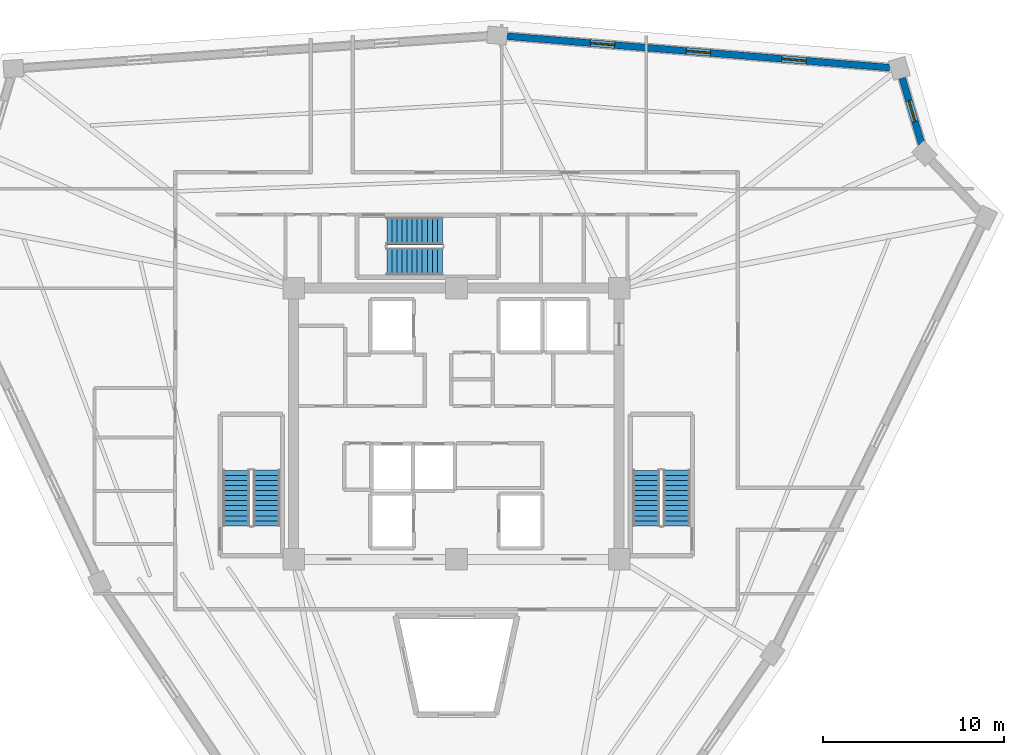
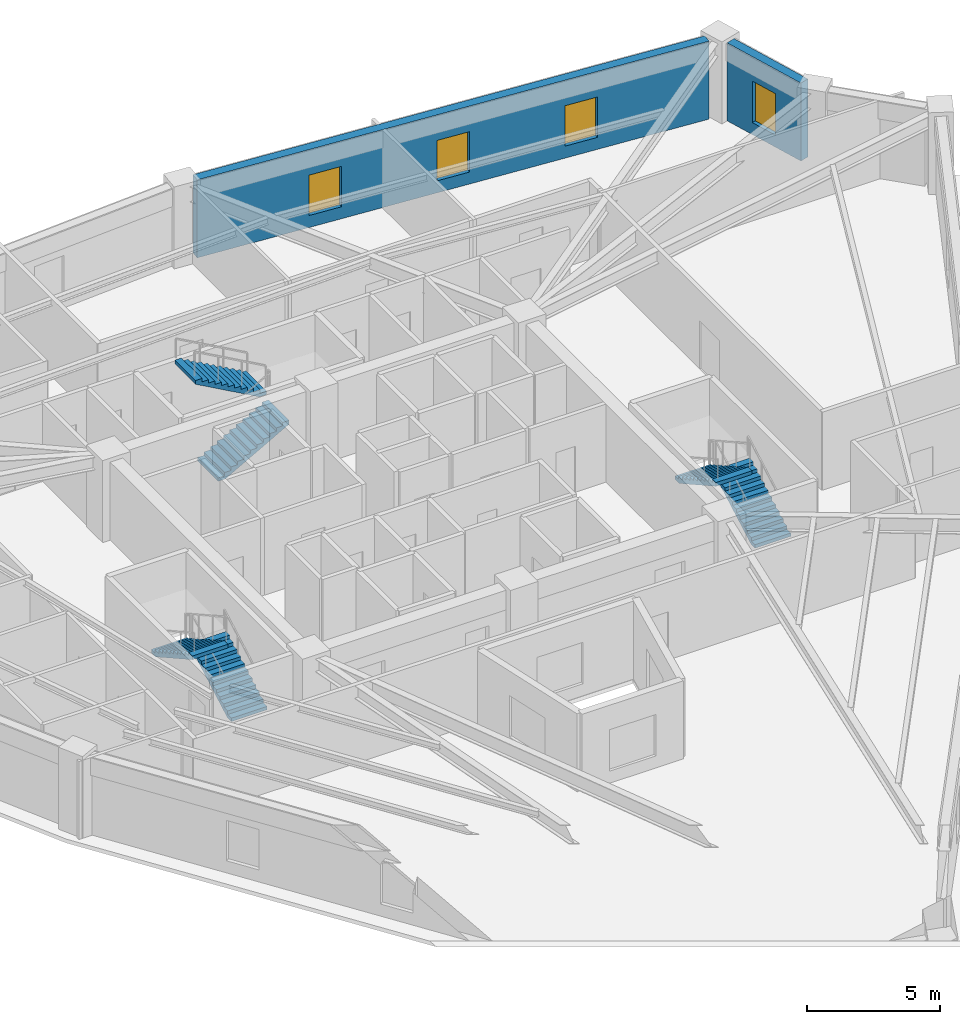
# One storey, part 7 of 8: 6 stair flights, 4 windows, 2 walls, 4 openings, 3 elements without a shape of their own.
"""IFC4 building model written with IfcOpenShell, lengths in metres."""

import ifcopenshell
import ifcopenshell.guid

model = None  # the IFC model being written
_history = None  # IfcOwnerHistory: only IFC2X3 demands one
_inside = {}  # id of a spatial element -> (the spatial element, [elements in it])
_under = {}  # id of a project, library or spatial element -> (it, [spatial elements below it])
_declared = {}  # id of a project -> (the project, [libraries it declares])
_typed = {}  # id of a type object -> (the type object, [elements of that type])
_made_of = {}  # id of a material, layer set ... -> (it, [elements and type objects made of it])


def new_model(schema):
    """Start an empty IFC model of exactly this schema.

    Asked for "IFC4X3", IfcOpenShell would pick the latest addendum, in which some entities
    have other attributes; the version numbers below select the first issue.
    IFC2X3 requires an IfcOwnerHistory on every rooted entity: one is made here for all.
    """
    global model, _history
    if schema == "IFC4X3":
        model = ifcopenshell.file(schema_version=(4, 3, 0, 0))
    else:
        model = ifcopenshell.file(schema=schema)
    _inside.clear()
    _under.clear()
    _declared.clear()
    _typed.clear()
    _made_of.clear()
    _history = None
    if model.schema == "IFC2X3":
        org = make("IfcOrganization", Name="unknown")
        user = make(
            "IfcPersonAndOrganization",
            ThePerson=make("IfcPerson", FamilyName="unknown"),
            TheOrganization=org,
        )
        app = make(
            "IfcApplication",
            ApplicationDeveloper=org,
            Version="unknown",
            ApplicationFullName="unknown",
            ApplicationIdentifier="unknown",
        )
        _history = make(
            "IfcOwnerHistory",
            OwningUser=user,
            OwningApplication=app,
            ChangeAction="ADDED",
            CreationDate=0,
        )
    return model


def make(cls, **values):
    """One entity of the class cls with the attributes given. An attribute that is None is left unset."""
    return model.create_entity(
        cls, **{name: value for name, value in values.items() if value is not None}
    )


def rooted(cls, **values):
    """An entity with a GlobalId (a new one), such as an element, a storey or a relation."""
    return make(cls, GlobalId=ifcopenshell.guid.new(), OwnerHistory=_history, **values)


def si_unit(unit_type, name, prefix=None):
    """IfcSIUnit, for example si_unit("LENGTHUNIT", "METRE", prefix="MILLI")."""
    return make("IfcSIUnit", UnitType=unit_type, Prefix=prefix, Name=name)


def assignment(units):
    """IfcUnitAssignment: the units of a project."""
    return None if units is None else make("IfcUnitAssignment", Units=units)


def point(xyz):
    """IfcCartesianPoint."""
    return None if xyz is None else make("IfcCartesianPoint", Coordinates=xyz)


def direction(xyz):
    """IfcDirection."""
    return None if xyz is None else make("IfcDirection", DirectionRatios=xyz)


def frame(location, z_axis=None, x_axis=None):
    """IfcAxis2Placement3D, a coordinate frame: its origin and axes. An axis left out is left unset."""
    return make(
        "IfcAxis2Placement3D",
        Location=point(location),
        Axis=direction(z_axis),
        RefDirection=direction(x_axis),
    )


def frame_2d(location, x_axis=None):
    """IfcAxis2Placement2D, a coordinate frame in the plane: its origin and x axis."""
    return make(
        "IfcAxis2Placement2D", Location=point(location), RefDirection=direction(x_axis)
    )


def origin():
    """The frame at (0, 0, 0) with its axes left unset."""
    return frame((0.0, 0.0, 0.0))


def place(relative_to, where):
    """IfcLocalPlacement: puts the frame where relative to a parent placement (None: the world)."""
    return make(
        "IfcLocalPlacement", PlacementRelTo=relative_to, RelativePlacement=where
    )


def context(
    kind, dimensions, precision=None, world=None, true_north=None, identifier=None
):
    """IfcGeometricRepresentationContext, for example the 3D "Model" context."""
    return make(
        "IfcGeometricRepresentationContext",
        ContextIdentifier=identifier,
        ContextType=kind,
        CoordinateSpaceDimension=dimensions,
        Precision=precision,
        WorldCoordinateSystem=world,
        TrueNorth=true_north,
    )


def subcontext(parent, identifier, kind, view, scale=None):
    """IfcGeometricRepresentationSubContext, for example "Body" below "Model"."""
    return make(
        "IfcGeometricRepresentationSubContext",
        ContextIdentifier=identifier,
        ContextType=kind,
        ParentContext=parent,
        TargetScale=scale,
        TargetView=view,
    )


def project(units=None, contexts=None):
    """IfcProject with its units and contexts."""
    return rooted(
        "IfcProject",
        Name="project",
        RepresentationContexts=contexts,
        UnitsInContext=assignment(units),
    )


def spatial(cls, under=None, at=None, **own):
    """A site, building, storey or space (cls), placed at a placement, below another one or the project."""
    s = rooted(cls, ObjectPlacement=at, **own)
    if under is not None:
        _under.setdefault(under.id(), (under, []))[1].append(s)
    return s


def polyline(points):
    """IfcPolyline through the points."""
    return make("IfcPolyline", Points=[point(p) for p in points])


def profile(cls, at=None, kind="AREA", **sizes):
    """A parametric profile (cls). Its sizes go by their IFC names, for example OverallWidth=200.0."""
    return make(cls, ProfileType=kind, Position=at, **sizes)


def rectangle(**sizes):
    """IfcRectangleProfileDef."""
    return profile("IfcRectangleProfileDef", **sizes)


def outline(outer, holes=None, kind="AREA"):
    """IfcArbitraryClosedProfileDef: a profile drawn as a closed curve; with holes, ...WithVoids."""
    if holes is None:
        return make("IfcArbitraryClosedProfileDef", ProfileType=kind, OuterCurve=outer)
    return make(
        "IfcArbitraryProfileDefWithVoids",
        ProfileType=kind,
        OuterCurve=outer,
        InnerCurves=holes,
    )


def extrude(swept, where, along, depth):
    """IfcExtrudedAreaSolid: the profile swept, set in the frame where, extruded along a direction by depth."""
    return make(
        "IfcExtrudedAreaSolid",
        SweptArea=swept,
        Position=where,
        ExtrudedDirection=direction(along),
        Depth=depth,
    )


def shape(context_of_items, identifier, shape_type, items):
    """IfcShapeRepresentation: the items that make up one representation, for example the "Body"."""
    return make(
        "IfcShapeRepresentation",
        ContextOfItems=context_of_items,
        RepresentationIdentifier=identifier,
        RepresentationType=shape_type,
        Items=items,
    )


def source(mapping_origin, context_of_items, identifier, shape_type, items):
    """IfcRepresentationMap: a shape defined once, which mapped items show again and again."""
    return make(
        "IfcRepresentationMap",
        MappingOrigin=mapping_origin,
        MappedRepresentation=shape(context_of_items, identifier, shape_type, items),
    )


def transform(
    local_origin,
    x_axis=None,
    y_axis=None,
    z_axis=None,
    scale=None,
    scale2=None,
    scale3=None,
    uniform=True,
):
    """IfcCartesianTransformationOperator3D, or its non-uniform kind. x_axis, y_axis, z_axis: its Axis1, 2, 3."""
    if uniform:
        return make(
            "IfcCartesianTransformationOperator3D",
            Axis1=direction(x_axis),
            Axis2=direction(y_axis),
            LocalOrigin=point(local_origin),
            Scale=scale,
            Axis3=direction(z_axis),
        )
    return make(
        "IfcCartesianTransformationOperator3DnonUniform",
        Axis1=direction(x_axis),
        Axis2=direction(y_axis),
        LocalOrigin=point(local_origin),
        Scale=scale,
        Axis3=direction(z_axis),
        Scale2=scale2,
        Scale3=scale3,
    )


def mapped(mapping_source, mapping_target):
    """IfcMappedItem: shows the shape of a source again, moved by a transform."""
    return make(
        "IfcMappedItem", MappingSource=mapping_source, MappingTarget=mapping_target
    )


def material(Name=None, Category=None):
    """IfcMaterial."""
    return make("IfcMaterial", Name=Name, Category=Category)


def layer(
    of_material, thickness, ventilated=None, Name=None, Category=None, Priority=None
):
    """IfcMaterialLayer: one layer of a wall or slab, of a material (None: an air gap)."""
    return make(
        "IfcMaterialLayer",
        Material=of_material,
        LayerThickness=thickness,
        IsVentilated=ventilated,
        Name=Name,
        Category=Category,
        Priority=Priority,
    )


def layer_set(layers, Name=None):
    """IfcMaterialLayerSet."""
    return make("IfcMaterialLayerSet", MaterialLayers=layers, LayerSetName=Name)


def made_of(thing, what):
    """Note that an element or type object is made of a material, layer set ...; save() writes the relation."""
    if what is not None:
        _made_of.setdefault(what.id(), (what, []))[1].append(thing)
    return thing


def type_object(cls, material=None, **own):
    """A type object (cls), such as IfcWallType, which elements share."""
    return made_of(rooted(cls, **own), material)


def element(
    cls,
    number,
    at=None,
    inside=None,
    cuts=None,
    type_object=None,
    material=None,
    context=None,
    identifier="Body",
    shape_type=None,
    held_by="IfcProductDefinitionShape",
    body=None,
    shapes=None,
    **own,
):
    """One element of the class cls, such as IfcWall. Its Tag is "e" and its number.

    at: its placement. inside: the storey or other place that contains it. cuts: it is an
    opening in that element (IfcRelVoidsElement). A single representation is given by context,
    identifier, shape_type and body (its items); several are given by shapes. held_by: the class
    of the entity that holds the representations. save() writes the other relations.
    """
    e = rooted(cls, Tag="e%d" % number, ObjectPlacement=at, **own)
    if body is not None:
        shapes = [shape(context, identifier, shape_type, body)]
    if shapes is not None:
        e.Representation = make(held_by, Representations=shapes)
    if inside is not None:
        _inside.setdefault(inside.id(), (inside, []))[1].append(e)
    if cuts is not None:
        rooted(
            "IfcRelVoidsElement", RelatingBuildingElement=cuts, RelatedOpeningElement=e
        )
    if type_object is not None:
        _typed.setdefault(type_object.id(), (type_object, []))[1].append(e)
    return made_of(e, material)


def fill(opening, filler):
    """IfcRelFillsElement: the door or window that sits in an opening."""
    return rooted(
        "IfcRelFillsElement",
        RelatingOpeningElement=opening,
        RelatedBuildingElement=filler,
    )


def aggregate(whole, parts):
    """IfcRelAggregates: a whole, such as a stair, and the parts it consists of."""
    return rooted("IfcRelAggregates", RelatingObject=whole, RelatedObjects=parts)


def save(model, path):
    """Write the relations noted so far, then the file.

    IfcRelAggregates (storeys below a building ...), IfcRelContainedInSpatialStructure (elements
    in a storey), IfcRelDefinesByType, IfcRelAssociatesMaterial and IfcRelDeclares: one each for
    every whole, place, type object, material and project.
    """
    for whole, parts in _under.values():
        aggregate(whole, parts)
    for where, things in _inside.values():
        rooted(
            "IfcRelContainedInSpatialStructure",
            RelatedElements=things,
            RelatingStructure=where,
        )
    for kind, things in _typed.values():
        rooted("IfcRelDefinesByType", RelatedObjects=things, RelatingType=kind)
    for what, things in _made_of.values():
        rooted("IfcRelAssociatesMaterial", RelatedObjects=things, RelatingMaterial=what)
    for by, libraries in _declared.values():
        rooted("IfcRelDeclares", RelatingContext=by, RelatedDefinitions=libraries)
    model.write(path)


model = new_model("IFC4")

# Units and contexts
model_context = context("Model", 3, precision=1e-05, world=origin(), true_north=direction((0.0, 1.0)))
body_context = subcontext(model_context, "Body", "Model", "MODEL_VIEW")
ifc_project = project(units=[si_unit("LENGTHUNIT", "METRE"), si_unit("AREAUNIT", "SQUARE_METRE"), si_unit("VOLUMEUNIT", "CUBIC_METRE"), si_unit("PLANEANGLEUNIT", "RADIAN"), si_unit("MASSUNIT", "GRAM", prefix="KILO")], contexts=[model_context])

# Site, building, storey
site_placement = place(None, origin())
site = spatial("IfcSite", under=ifc_project, at=site_placement, CompositionType="ELEMENT")
building_placement = place(site_placement, origin())
building = spatial("IfcBuilding", under=site, at=building_placement, Name="Liaohun Quay Tower", CompositionType="ELEMENT")
storey_placement = place(building_placement, frame((0.0, 0.0, 332.25)))
storey = spatial("IfcBuildingStorey", under=building, at=storey_placement, Name="L86", CompositionType="ELEMENT", Elevation=332.25)

# Wall, opening, window
ifc_material_1 = material(Name="Precast concrete C50 insulated sandwich", Category="concrete")
ifc_layer = layer(ifc_material_1, 0.3798828125, Name="Precast concrete C50 insulated sandwich", Category="concrete")
ifc_layer_set = layer_set([ifc_layer], Name="Precast concrete C50 insulated sandwich")
wall_type = type_object("IfcWallType", Name="WAL-EXT-Z34", PredefinedType="SOLIDWALL", material=ifc_layer_set)
wall_1_placement = place(storey_placement, frame((85.738037109375, 69.466064453125, 0.0), z_axis=(0.0, 0.0, 1.0), x_axis=(-0.282732695887, 0.959198739926, 0.0)))
wall_1 = element("IfcWall", 1, at=wall_1_placement, inside=storey, type_object=wall_type, Name="L86 Brutalist Precast Pier Wall 05", PredefinedType="SOLIDWALL", context=body_context, shape_type="SweptSolid", body=[
    extrude(rectangle(XDim=3.8271484375, YDim=0.3798828125, at=frame_2d((1.91357421875, 0.0))), origin(), (0.0, 0.0, 1.0), 3.570068359375),
])
shared_shape_1 = source(origin(), body_context, "Body", "SweptSolid", [
    extrude(rectangle(XDim=1.199951171875, YDim=1.89990234375, at=frame_2d((0.60009765625, 0.949951171875))), frame((0.0, 0.199951171875, 0.0), z_axis=(0.0, -1.0, 0.0), x_axis=(1.0, 0.0, 0.0)), (0.0, 0.0, 1.0), 0.39990234375),
])
opening_1_placement = place(wall_1_placement, frame((1.31396484375, 0.0, 0.550048828125)))
opening_1 = element("IfcOpeningElement", 2, at=opening_1_placement, cuts=wall_1, Name="Opening W05", PredefinedType="OPENING", context=body_context, shape_type="MappedRepresentation", body=[
    mapped(shared_shape_1, transform((0.0, 0.0, 0.0), x_axis=(1.0, 0.0, 0.0), y_axis=(0.0, 1.0, 0.0), z_axis=(0.0, 0.0, 1.0), scale=1.0)),
])
ifc_material_2 = material(Name="Triple Low-E corner notch glazing", Category="glass")
window_type_1 = type_object("IfcWindowType", Name="WIN-NOTCH", PartitioningType="SINGLE_PANEL", PredefinedType="WINDOW", material=ifc_material_2)
shared_shape_2 = source(origin(), body_context, "Body", "SweptSolid", [
    extrude(rectangle(XDim=1.199951171875, YDim=1.89990234375, at=frame_2d((0.60009765625, 0.949951171875))), frame((0.0, 0.030029296875, 0.0), z_axis=(0.0, -1.0, 0.0), x_axis=(1.0, 0.0, 0.0)), (0.0, 0.0, 1.0), 0.06005859375),
])
window_1_placement = place(opening_1_placement, origin())
window_1 = element("IfcWindow", 3, at=window_1_placement, inside=storey, type_object=window_type_1, Name="L86 Corner Notch Window W05-05", OverallHeight=1.89990234375, OverallWidth=1.199951171875, PartitioningType="SINGLE_PANEL", PredefinedType="WINDOW", context=body_context, shape_type="MappedRepresentation", body=[
    mapped(shared_shape_2, transform((0.0, 0.0, 0.0), x_axis=(1.0, 0.0, 0.0), y_axis=(0.0, 1.0, 0.0), z_axis=(0.0, 0.0, 1.0), scale=1.0)),
])
fill(opening_1, window_1)

# Wall, openings, windows
wall_2_placement = place(storey_placement, frame((83.965087890625, 73.698974609375, 0.0), z_axis=(0.0, 0.0, 1.0), x_axis=(-0.996631543612, 0.082009549916, 0.0)))
wall_2 = element("IfcWall", 4, at=wall_2_placement, inside=storey, type_object=wall_type, Name="L86 Brutalist Precast Pier Wall 06", PredefinedType="SOLIDWALL", context=body_context, shape_type="SweptSolid", body=[
    extrude(rectangle(XDim=21.24072265625, YDim=0.3798828125, at=frame_2d((10.620361328125, 0.0))), origin(), (0.0, 0.0, 1.0), 3.570068359375),
])
shared_shape_3 = source(origin(), body_context, "Body", "SweptSolid", [
    extrude(rectangle(XDim=1.35009765625, YDim=1.85009765625, at=frame_2d((0.675048828125, 0.925048828125))), frame((0.0, 0.199951171875, 0.0), z_axis=(0.0, -1.0, 0.0), x_axis=(1.0, 0.0, 0.0)), (0.0, 0.0, 1.0), 0.39990234375),
])
opening_2_placement = place(wall_2_placement, frame((4.635009765625, 0.0, 0.550048828125)))
opening_2 = element("IfcOpeningElement", 5, at=opening_2_placement, cuts=wall_2, Name="Opening W04", PredefinedType="OPENING", context=body_context, shape_type="MappedRepresentation", body=[
    mapped(shared_shape_3, transform((0.0, 0.0, 0.0), x_axis=(1.0, 0.0, 0.0), y_axis=(0.0, 1.0, 0.0), z_axis=(0.0, 0.0, 1.0), scale=1.0)),
])
opening_3_placement = place(wall_2_placement, frame((9.945068359375, 0.0, 0.550048828125)))
opening_3 = element("IfcOpeningElement", 6, at=opening_3_placement, cuts=wall_2, Name="Opening W04", PredefinedType="OPENING", context=body_context, shape_type="MappedRepresentation", body=[
    mapped(shared_shape_3, transform((0.0, 0.0, 0.0), x_axis=(1.0, 0.0, 0.0), y_axis=(0.0, 1.0, 0.0), z_axis=(0.0, 0.0, 1.0), scale=1.0)),
])
opening_4_placement = place(wall_2_placement, frame((15.2548828125, 0.0, 0.550048828125)))
opening_4 = element("IfcOpeningElement", 7, at=opening_4_placement, cuts=wall_2, Name="Opening W04", PredefinedType="OPENING", context=body_context, shape_type="MappedRepresentation", body=[
    mapped(shared_shape_3, transform((0.0, 0.0, 0.0), x_axis=(1.0, 0.0, 0.0), y_axis=(0.0, 1.0, 0.0), z_axis=(0.0, 0.0, 1.0), scale=1.0)),
])
ifc_material_3 = material(Name="Triple Low-E argon glazing in thermally broken aluminium", Category="aluminium")
window_type_2 = type_object("IfcWindowType", Name="WIN-PUN-Z4", PartitioningType="SINGLE_PANEL", PredefinedType="WINDOW", material=ifc_material_3)
shared_shape_4 = source(origin(), body_context, "Body", "SweptSolid", [
    extrude(rectangle(XDim=1.35009765625, YDim=1.85009765625, at=frame_2d((0.675048828125, 0.925048828125))), frame((0.0, 0.030029296875, 0.0), z_axis=(0.0, -1.0, 0.0), x_axis=(1.0, 0.0, 0.0)), (0.0, 0.0, 1.0), 0.06005859375),
])
window_2_placement = place(opening_2_placement, origin())
window_2 = element("IfcWindow", 8, at=window_2_placement, inside=storey, type_object=window_type_2, Name="L86 Recessed Cold-Climate Punched Window 06-1", OverallHeight=1.85009765625, OverallWidth=1.35009765625, PartitioningType="SINGLE_PANEL", PredefinedType="WINDOW", context=body_context, shape_type="MappedRepresentation", body=[
    mapped(shared_shape_4, transform((0.0, 0.0, 0.0), x_axis=(1.0, 0.0, 0.0), y_axis=(0.0, 1.0, 0.0), z_axis=(0.0, 0.0, 1.0), scale=1.0)),
])
fill(opening_2, window_2)
window_3_placement = place(opening_3_placement, origin())
window_3 = element("IfcWindow", 9, at=window_3_placement, inside=storey, type_object=window_type_2, Name="L86 Recessed Cold-Climate Punched Window 06-2", OverallHeight=1.85009765625, OverallWidth=1.35009765625, PartitioningType="SINGLE_PANEL", PredefinedType="WINDOW", context=body_context, shape_type="MappedRepresentation", body=[
    mapped(shared_shape_4, transform((0.0, 0.0, 0.0), x_axis=(1.0, 0.0, 0.0), y_axis=(0.0, 1.0, 0.0), z_axis=(0.0, 0.0, 1.0), scale=1.0)),
])
fill(opening_3, window_3)
window_4_placement = place(opening_4_placement, origin())
window_4 = element("IfcWindow", 10, at=window_4_placement, inside=storey, type_object=window_type_2, Name="L86 Recessed Cold-Climate Punched Window 06-3", OverallHeight=1.85009765625, OverallWidth=1.35009765625, PartitioningType="SINGLE_PANEL", PredefinedType="WINDOW", context=body_context, shape_type="MappedRepresentation", body=[
    mapped(shared_shape_4, transform((0.0, 0.0, 0.0), x_axis=(1.0, 0.0, 0.0), y_axis=(0.0, 1.0, 0.0), z_axis=(0.0, 0.0, 1.0), scale=1.0)),
])
fill(opening_4, window_4)

# Stair, stair flights
ifc_material_4 = material(Name="Concrete C45", Category="concrete")
stair_type = type_object("IfcStairType", Name="STR-CORE-OFF", PredefinedType="HALF_TURN_STAIR", material=ifc_material_4)
stair_1_placement = place(storey_placement, origin())
stair_1 = element("IfcStair", 11, at=stair_1_placement, inside=storey, type_object=stair_type, Name="L86 Smokeproof Core Exit Stair ST-1", PredefinedType="HALF_TURN_STAIR")
stair_flight_type = type_object("IfcStairFlightType", Name="FLT-CORE-155", PredefinedType="STRAIGHT", material=ifc_material_4)
stair_flight_1_placement = place(storey_placement, frame((49.5048828125, 48.35009765625, 0.0), z_axis=(0.0, 0.0, 1.0), x_axis=(0.0, 1.0, 0.0)))
stair_flight_1 = element("IfcStairFlight", 12, at=stair_flight_1_placement, type_object=stair_flight_type, Name="ST-1 flight 1", NumberOfRisers=12, NumberOfTreads=11, PredefinedType="STRAIGHT", RiserHeight=0.15625, TreadLength=0.28, context=body_context, shape_type="SweptSolid", body=[
    extrude(outline(polyline([(0.0, 0.0), (0.0, 0.15625), (0.280029296875, 0.15625), (0.280029296875, 0.3125), (0.56005859375, 0.3125), (0.56005859375, 0.46875), (0.840087890625, 0.46875), (0.840087890625, 0.625), (1.1201171875, 0.625), (1.1201171875, 0.78125), (1.39990234375, 0.78125), (1.39990234375, 0.9375), (1.679931640625, 0.9375), (1.679931640625, 1.09375), (1.9599609375, 1.09375), (1.9599609375, 1.25), (2.239990234375, 1.25), (2.239990234375, 1.40625), (2.52001953125, 1.40625), (2.52001953125, 1.5625), (2.800048828125, 1.5625), (2.800048828125, 1.71875), (3.080078125, 1.71875), (3.080078125, 1.875), (3.080078125, 1.547119140625), (0.3076171875, 0.0), (0.0, 0.0)])), frame((0.0, 0.77490234375, 0.0), z_axis=(0.0, -1.0, 0.0), x_axis=(1.0, 0.0, 0.0)), (0.0, 0.0, 1.0), 1.550048828125),
])
stair_flight_2_placement = place(storey_placement, frame((47.81494140625, 51.429931640625, 1.875), z_axis=(0.0, 0.0, 1.0), x_axis=(0.0, -1.0, 0.0)))
stair_flight_2 = element("IfcStairFlight", 13, at=stair_flight_2_placement, type_object=stair_flight_type, Name="ST-1 flight 2", NumberOfRisers=12, NumberOfTreads=11, PredefinedType="STRAIGHT", RiserHeight=0.15625, TreadLength=0.28, context=body_context, shape_type="SweptSolid", body=[
    extrude(outline(polyline([(0.0, 0.0), (0.0, 0.15625), (0.280029296875, 0.15625), (0.280029296875, 0.3125), (0.56005859375, 0.3125), (0.56005859375, 0.46875), (0.840087890625, 0.46875), (0.840087890625, 0.625), (1.1201171875, 0.625), (1.1201171875, 0.78125), (1.39990234375, 0.78125), (1.39990234375, 0.9375), (1.679931640625, 0.9375), (1.679931640625, 1.09375), (1.9599609375, 1.09375), (1.9599609375, 1.25), (2.239990234375, 1.25), (2.239990234375, 1.40625), (2.52001953125, 1.40625), (2.52001953125, 1.5625), (2.800048828125, 1.5625), (2.800048828125, 1.71875), (3.080078125, 1.71875), (3.080078125, 1.875), (3.080078125, 1.547119140625), (0.3076171875, 0.0), (0.0, 0.0)])), frame((0.0, 0.77490234375, 0.0), z_axis=(0.0, -1.0, 0.0), x_axis=(1.0, 0.0, 0.0)), (0.0, 0.0, 1.0), 1.550048828125),
])
aggregate(stair_1, [stair_flight_1, stair_flight_2])

stair_2_placement = place(storey_placement, origin())
stair_2 = element("IfcStair", 14, at=stair_2_placement, inside=storey, type_object=stair_type, Name="L86 Smokeproof Core Exit Stair ST-2", PredefinedType="HALF_TURN_STAIR")
stair_flight_3_placement = place(storey_placement, frame((72.18505859375, 48.35009765625, 0.0), z_axis=(0.0, 0.0, 1.0), x_axis=(0.0, 1.0, 0.0)))
stair_flight_3 = element("IfcStairFlight", 15, at=stair_flight_3_placement, type_object=stair_flight_type, Name="ST-2 flight 1", NumberOfRisers=12, NumberOfTreads=11, PredefinedType="STRAIGHT", RiserHeight=0.15625, TreadLength=0.28, context=body_context, shape_type="SweptSolid", body=[
    extrude(outline(polyline([(0.0, 0.0), (0.0, 0.15625), (0.280029296875, 0.15625), (0.280029296875, 0.3125), (0.56005859375, 0.3125), (0.56005859375, 0.46875), (0.840087890625, 0.46875), (0.840087890625, 0.625), (1.1201171875, 0.625), (1.1201171875, 0.78125), (1.39990234375, 0.78125), (1.39990234375, 0.9375), (1.679931640625, 0.9375), (1.679931640625, 1.09375), (1.9599609375, 1.09375), (1.9599609375, 1.25), (2.239990234375, 1.25), (2.239990234375, 1.40625), (2.52001953125, 1.40625), (2.52001953125, 1.5625), (2.800048828125, 1.5625), (2.800048828125, 1.71875), (3.080078125, 1.71875), (3.080078125, 1.875), (3.080078125, 1.547119140625), (0.3076171875, 0.0), (0.0, 0.0)])), frame((0.0, 0.77490234375, 0.0), z_axis=(0.0, -1.0, 0.0), x_axis=(1.0, 0.0, 0.0)), (0.0, 0.0, 1.0), 1.550048828125),
])
stair_flight_4_placement = place(storey_placement, frame((70.4951171875, 51.429931640625, 1.875), z_axis=(0.0, 0.0, 1.0), x_axis=(0.0, -1.0, 0.0)))
stair_flight_4 = element("IfcStairFlight", 16, at=stair_flight_4_placement, type_object=stair_flight_type, Name="ST-2 flight 2", NumberOfRisers=12, NumberOfTreads=11, PredefinedType="STRAIGHT", RiserHeight=0.15625, TreadLength=0.28, context=body_context, shape_type="SweptSolid", body=[
    extrude(outline(polyline([(0.0, 0.0), (0.0, 0.15625), (0.280029296875, 0.15625), (0.280029296875, 0.3125), (0.56005859375, 0.3125), (0.56005859375, 0.46875), (0.840087890625, 0.46875), (0.840087890625, 0.625), (1.1201171875, 0.625), (1.1201171875, 0.78125), (1.39990234375, 0.78125), (1.39990234375, 0.9375), (1.679931640625, 0.9375), (1.679931640625, 1.09375), (1.9599609375, 1.09375), (1.9599609375, 1.25), (2.239990234375, 1.25), (2.239990234375, 1.40625), (2.52001953125, 1.40625), (2.52001953125, 1.5625), (2.800048828125, 1.5625), (2.800048828125, 1.71875), (3.080078125, 1.71875), (3.080078125, 1.875), (3.080078125, 1.547119140625), (0.3076171875, 0.0), (0.0, 0.0)])), frame((0.0, 0.77490234375, 0.0), z_axis=(0.0, -1.0, 0.0), x_axis=(1.0, 0.0, 0.0)), (0.0, 0.0, 1.0), 1.550048828125),
])
aggregate(stair_2, [stair_flight_3, stair_flight_4])

stair_3_placement = place(storey_placement, origin())
stair_3 = element("IfcStair", 17, at=stair_3_placement, inside=storey, type_object=stair_type, Name="L86 Smokeproof Core Exit Stair ST-3", PredefinedType="HALF_TURN_STAIR")
stair_flight_5_placement = place(storey_placement, frame((56.14990234375, 62.97509765625, 0.0), z_axis=(0.0, 0.0, 1.0), x_axis=(1.0, 0.0, 0.0)))
stair_flight_5 = element("IfcStairFlight", 18, at=stair_flight_5_placement, type_object=stair_flight_type, Name="ST-3 flight 1", NumberOfRisers=12, NumberOfTreads=11, PredefinedType="STRAIGHT", RiserHeight=0.15625, TreadLength=0.28, context=body_context, shape_type="SweptSolid", body=[
    extrude(outline(polyline([(0.0, 0.0), (0.0, 0.15625), (0.280029296875, 0.15625), (0.280029296875, 0.3125), (0.56005859375, 0.3125), (0.56005859375, 0.46875), (0.840087890625, 0.46875), (0.840087890625, 0.625), (1.1201171875, 0.625), (1.1201171875, 0.78125), (1.39990234375, 0.78125), (1.39990234375, 0.9375), (1.679931640625, 0.9375), (1.679931640625, 1.09375), (1.9599609375, 1.09375), (1.9599609375, 1.25), (2.239990234375, 1.25), (2.239990234375, 1.40625), (2.52001953125, 1.40625), (2.52001953125, 1.5625), (2.800048828125, 1.5625), (2.800048828125, 1.71875), (3.080078125, 1.71875), (3.080078125, 1.875), (3.080078125, 1.547119140625), (0.3076171875, 0.0), (0.0, 0.0)])), frame((0.0, 0.77490234375, 0.0), z_axis=(0.0, -1.0, 0.0), x_axis=(1.0, 0.0, 0.0)), (0.0, 0.0, 1.0), 1.550048828125),
])
stair_flight_6_placement = place(storey_placement, frame((59.22998046875, 64.6650390625, 1.875), z_axis=(0.0, 0.0, 1.0), x_axis=(-1.0, 0.0, 0.0)))
stair_flight_6 = element("IfcStairFlight", 19, at=stair_flight_6_placement, type_object=stair_flight_type, Name="ST-3 flight 2", NumberOfRisers=12, NumberOfTreads=11, PredefinedType="STRAIGHT", RiserHeight=0.15625, TreadLength=0.28, context=body_context, shape_type="SweptSolid", body=[
    extrude(outline(polyline([(0.0, 0.0), (0.0, 0.15625), (0.280029296875, 0.15625), (0.280029296875, 0.3125), (0.56005859375, 0.3125), (0.56005859375, 0.46875), (0.840087890625, 0.46875), (0.840087890625, 0.625), (1.1201171875, 0.625), (1.1201171875, 0.78125), (1.39990234375, 0.78125), (1.39990234375, 0.9375), (1.679931640625, 0.9375), (1.679931640625, 1.09375), (1.9599609375, 1.09375), (1.9599609375, 1.25), (2.239990234375, 1.25), (2.239990234375, 1.40625), (2.52001953125, 1.40625), (2.52001953125, 1.5625), (2.800048828125, 1.5625), (2.800048828125, 1.71875), (3.080078125, 1.71875), (3.080078125, 1.875), (3.080078125, 1.547119140625), (0.3076171875, 0.0), (0.0, 0.0)])), frame((0.0, 0.77490234375, 0.0), z_axis=(0.0, -1.0, 0.0), x_axis=(1.0, 0.0, 0.0)), (0.0, 0.0, 1.0), 1.550048828125),
])
aggregate(stair_3, [stair_flight_5, stair_flight_6])

save(model, "model.ifc")
